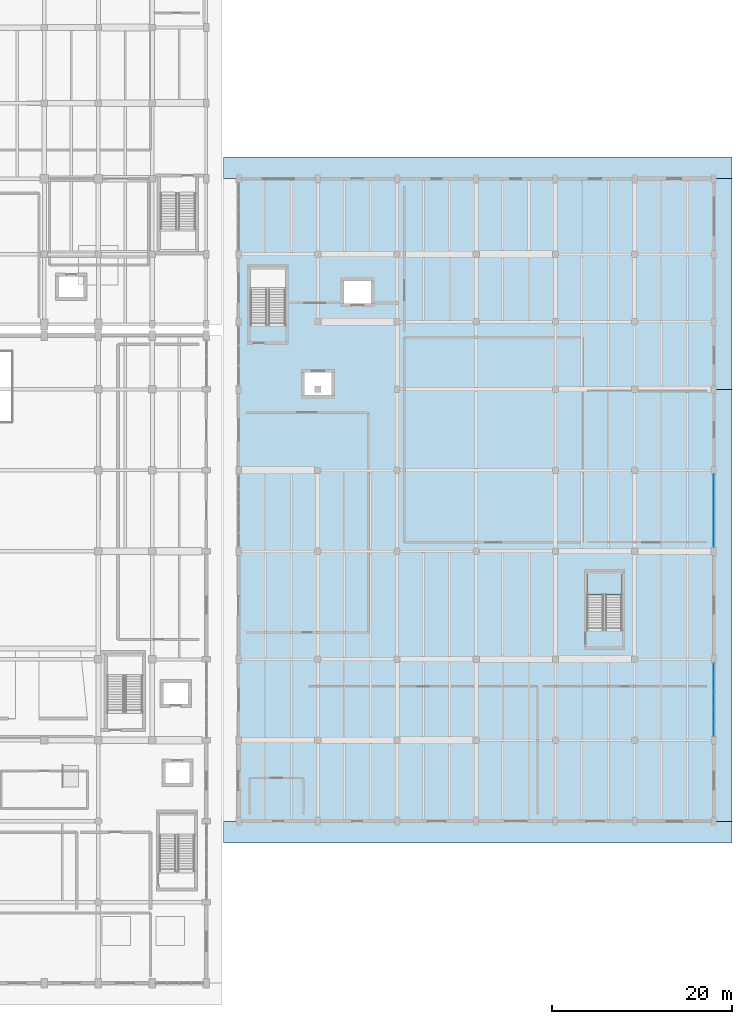
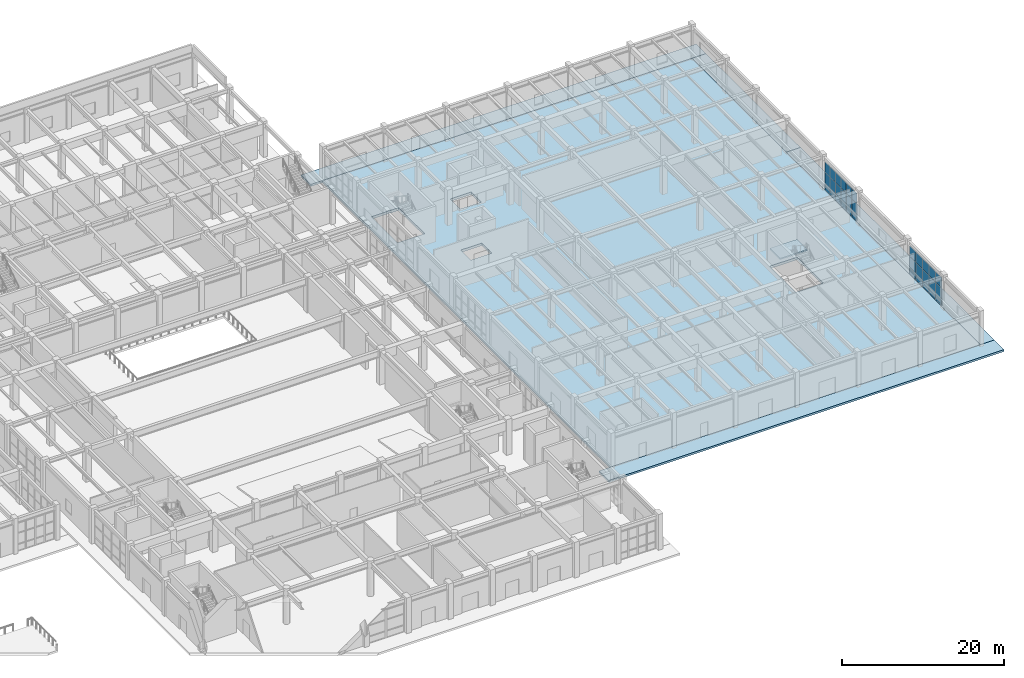
# One storey, part 67 of 91: 33 plates, 6 slabs, 3 elements without a shape of their own.
"""IFC4 building model written with IfcOpenShell, lengths in metres."""

from ifc_helpers import new_model, si_unit, direction, frame, origin, origin_2d, place, context, subcontext, project, spatial, polyline, rectangle, outline, extrude, material, layer, layer_set, type_object, element, aggregate, save


model = new_model("IFC4")

# Units and contexts
model_context = context("Model", 3, precision=1e-05, world=origin(), true_north=direction((0.0, 1.0)))
body_context = subcontext(model_context, "Body", "Model", "MODEL_VIEW")
ifc_project = project(units=[si_unit("LENGTHUNIT", "METRE"), si_unit("AREAUNIT", "SQUARE_METRE"), si_unit("VOLUMEUNIT", "CUBIC_METRE"), si_unit("PLANEANGLEUNIT", "RADIAN"), si_unit("MASSUNIT", "GRAM", prefix="KILO")], contexts=[model_context])

# Site, building, storey
site_placement = place(None, origin())
site = spatial("IfcSite", under=ifc_project, at=site_placement, CompositionType="ELEMENT")
building_placement = place(site_placement, origin())
building = spatial("IfcBuilding", under=site, at=building_placement, Name="Vaelkrest Opera House", CompositionType="ELEMENT")
storey_placement = place(building_placement, origin())
storey = spatial("IfcBuildingStorey", under=building, at=storey_placement, Name="L00", CompositionType="ELEMENT", Elevation=0.0)

# Curtain wall, plates
ifc_material_1 = material(Name="Dark bronze anodized aluminium", Category="aluminium")
ifc_layer_1 = layer(ifc_material_1, 0.179931640625)
ifc_layer_set_1 = layer_set([ifc_layer_1], Name="Dark bronze anodized aluminium")
curtain_wall_type_1 = type_object("IfcCurtainWallType", Name="CW01", PredefinedType="NOTDEFINED", material=ifc_layer_set_1)
curtain_wall_1_placement = place(storey_placement, origin())
curtain_wall_1 = element("IfcCurtainWall", 1, at=curtain_wall_1_placement, inside=storey, type_object=curtain_wall_type_1, Name="Curtain wall CW-L00-152", PredefinedType="NOTDEFINED")
ifc_material_2 = material(Name="Double low-E insulated glazing", Category="glass")
ifc_layer_2 = layer(ifc_material_2, 0.02587890625)
ifc_layer_set_2 = layer_set([ifc_layer_2], Name="Double low-E insulated glazing")
plate_type_1 = type_object("IfcPlateType", Name="CWP01", PredefinedType="CURTAIN_PANEL", material=ifc_layer_set_2)
plate_1_placement = place(storey_placement, frame((86.39990234375, 0.060302734375, 0.06494140625), z_axis=(0.0, 0.0, 1.0), x_axis=(0.0, -1.0, 0.0)))
plate_1 = element("IfcPlate", 2, at=plate_1_placement, type_object=plate_type_1, Name="CW01 panel 1.1", PredefinedType="CURTAIN_PANEL", context=body_context, shape_type="SweptSolid", body=[
    extrude(rectangle(XDim=1.253173828125, YDim=0.02587890625, at=origin_2d()), origin(), (0.0, 0.0, 1.0), 0.952392578125),
])
plate_2_placement = place(storey_placement, frame((86.39990234375, 0.060302734375, 1.08251953125), z_axis=(0.0, 0.0, 1.0), x_axis=(0.0, -1.0, 0.0)))
plate_2 = element("IfcPlate", 3, at=plate_2_placement, type_object=plate_type_1, Name="CW01 panel 1.2", PredefinedType="CURTAIN_PANEL", context=body_context, shape_type="SweptSolid", body=[
    extrude(rectangle(XDim=1.253173828125, YDim=0.02587890625, at=origin_2d()), origin(), (0.0, 0.0, 1.0), 1.635009765625),
])
plate_3_placement = place(storey_placement, frame((86.39990234375, 0.060302734375, 2.78271484375), z_axis=(0.0, 0.0, 1.0), x_axis=(0.0, -1.0, 0.0)))
plate_3 = element("IfcPlate", 4, at=plate_3_placement, type_object=plate_type_1, Name="CW01 panel 1.3", PredefinedType="CURTAIN_PANEL", context=body_context, shape_type="SweptSolid", body=[
    extrude(rectangle(XDim=1.253173828125, YDim=0.02587890625, at=origin_2d()), origin(), (0.0, 0.0, 1.0), 1.556396484375),
])
plate_4_placement = place(storey_placement, frame((86.39990234375, -1.27392578125, 0.06494140625), z_axis=(0.0, 0.0, 1.0), x_axis=(0.0, -1.0, 0.0)))
plate_4 = element("IfcPlate", 5, at=plate_4_placement, type_object=plate_type_1, Name="CW01 panel 2.1", PredefinedType="CURTAIN_PANEL", context=body_context, shape_type="SweptSolid", body=[
    extrude(rectangle(XDim=1.28564453125, YDim=0.02587890625, at=origin_2d()), origin(), (0.0, 0.0, 1.0), 0.952392578125),
])
plate_5_placement = place(storey_placement, frame((86.39990234375, -1.27392578125, 1.08251953125), z_axis=(0.0, 0.0, 1.0), x_axis=(0.0, -1.0, 0.0)))
plate_5 = element("IfcPlate", 6, at=plate_5_placement, type_object=plate_type_1, Name="CW01 panel 2.2", PredefinedType="CURTAIN_PANEL", context=body_context, shape_type="SweptSolid", body=[
    extrude(rectangle(XDim=1.28564453125, YDim=0.02587890625, at=origin_2d()), origin(), (0.0, 0.0, 1.0), 1.635009765625),
])
plate_6_placement = place(storey_placement, frame((86.39990234375, -1.27392578125, 2.78271484375), z_axis=(0.0, 0.0, 1.0), x_axis=(0.0, -1.0, 0.0)))
plate_6 = element("IfcPlate", 7, at=plate_6_placement, type_object=plate_type_1, Name="CW01 panel 2.3", PredefinedType="CURTAIN_PANEL", context=body_context, shape_type="SweptSolid", body=[
    extrude(rectangle(XDim=1.28564453125, YDim=0.02587890625, at=origin_2d()), origin(), (0.0, 0.0, 1.0), 1.556396484375),
])
plate_7_placement = place(storey_placement, frame((86.39990234375, -2.624755859375, 0.06494140625), z_axis=(0.0, 0.0, 1.0), x_axis=(0.0, -1.0, 0.0)))
plate_7 = element("IfcPlate", 8, at=plate_7_placement, type_object=plate_type_1, Name="CW01 panel 3.1", PredefinedType="CURTAIN_PANEL", context=body_context, shape_type="SweptSolid", body=[
    extrude(rectangle(XDim=1.28564453125, YDim=0.02587890625, at=origin_2d()), origin(), (0.0, 0.0, 1.0), 0.952392578125),
])
plate_8_placement = place(storey_placement, frame((86.39990234375, -2.624755859375, 1.08251953125), z_axis=(0.0, 0.0, 1.0), x_axis=(0.0, -1.0, 0.0)))
plate_8 = element("IfcPlate", 9, at=plate_8_placement, type_object=plate_type_1, Name="CW01 panel 3.2", PredefinedType="CURTAIN_PANEL", context=body_context, shape_type="SweptSolid", body=[
    extrude(rectangle(XDim=1.28564453125, YDim=0.02587890625, at=origin_2d()), origin(), (0.0, 0.0, 1.0), 1.635009765625),
])
plate_9_placement = place(storey_placement, frame((86.39990234375, -2.624755859375, 2.78271484375), z_axis=(0.0, 0.0, 1.0), x_axis=(0.0, -1.0, 0.0)))
plate_9 = element("IfcPlate", 10, at=plate_9_placement, type_object=plate_type_1, Name="CW01 panel 3.3", PredefinedType="CURTAIN_PANEL", context=body_context, shape_type="SweptSolid", body=[
    extrude(rectangle(XDim=1.28564453125, YDim=0.02587890625, at=origin_2d()), origin(), (0.0, 0.0, 1.0), 1.556396484375),
])
plate_10_placement = place(storey_placement, frame((86.39990234375, -3.975341796875, 0.06494140625), z_axis=(0.0, 0.0, 1.0), x_axis=(0.0, -1.0, 0.0)))
plate_10 = element("IfcPlate", 11, at=plate_10_placement, type_object=plate_type_1, Name="CW01 panel 4.1", PredefinedType="CURTAIN_PANEL", context=body_context, shape_type="SweptSolid", body=[
    extrude(rectangle(XDim=1.28564453125, YDim=0.02587890625, at=origin_2d()), origin(), (0.0, 0.0, 1.0), 0.952392578125),
])
plate_11_placement = place(storey_placement, frame((86.39990234375, -3.975341796875, 1.08251953125), z_axis=(0.0, 0.0, 1.0), x_axis=(0.0, -1.0, 0.0)))
plate_11 = element("IfcPlate", 12, at=plate_11_placement, type_object=plate_type_1, Name="CW01 panel 4.2", PredefinedType="CURTAIN_PANEL", context=body_context, shape_type="SweptSolid", body=[
    extrude(rectangle(XDim=1.28564453125, YDim=0.02587890625, at=origin_2d()), origin(), (0.0, 0.0, 1.0), 1.635009765625),
])
plate_12_placement = place(storey_placement, frame((86.39990234375, -3.975341796875, 2.78271484375), z_axis=(0.0, 0.0, 1.0), x_axis=(0.0, -1.0, 0.0)))
plate_12 = element("IfcPlate", 13, at=plate_12_placement, type_object=plate_type_1, Name="CW01 panel 4.3", PredefinedType="CURTAIN_PANEL", context=body_context, shape_type="SweptSolid", body=[
    extrude(rectangle(XDim=1.28564453125, YDim=0.02587890625, at=origin_2d()), origin(), (0.0, 0.0, 1.0), 1.556396484375),
])
plate_13_placement = place(storey_placement, frame((86.39990234375, -5.325927734375, 0.06494140625), z_axis=(0.0, 0.0, 1.0), x_axis=(0.0, -1.0, 0.0)))
plate_13 = element("IfcPlate", 14, at=plate_13_placement, type_object=plate_type_1, Name="CW01 panel 5.1", PredefinedType="CURTAIN_PANEL", context=body_context, shape_type="SweptSolid", body=[
    extrude(rectangle(XDim=1.28564453125, YDim=0.02587890625, at=origin_2d()), origin(), (0.0, 0.0, 1.0), 0.952392578125),
])
plate_14_placement = place(storey_placement, frame((86.39990234375, -5.325927734375, 1.08251953125), z_axis=(0.0, 0.0, 1.0), x_axis=(0.0, -1.0, 0.0)))
plate_14 = element("IfcPlate", 15, at=plate_14_placement, type_object=plate_type_1, Name="CW01 panel 5.2", PredefinedType="CURTAIN_PANEL", context=body_context, shape_type="SweptSolid", body=[
    extrude(rectangle(XDim=1.28564453125, YDim=0.02587890625, at=origin_2d()), origin(), (0.0, 0.0, 1.0), 1.635009765625),
])
plate_15_placement = place(storey_placement, frame((86.39990234375, -5.325927734375, 2.78271484375), z_axis=(0.0, 0.0, 1.0), x_axis=(0.0, -1.0, 0.0)))
plate_15 = element("IfcPlate", 16, at=plate_15_placement, type_object=plate_type_1, Name="CW01 panel 5.3", PredefinedType="CURTAIN_PANEL", context=body_context, shape_type="SweptSolid", body=[
    extrude(rectangle(XDim=1.28564453125, YDim=0.02587890625, at=origin_2d()), origin(), (0.0, 0.0, 1.0), 1.556396484375),
])
plate_16_placement = place(storey_placement, frame((86.39990234375, -6.660400390625, 0.06494140625), z_axis=(0.0, 0.0, 1.0), x_axis=(0.0, -1.0, 0.0)))
plate_16 = element("IfcPlate", 17, at=plate_16_placement, type_object=plate_type_1, Name="CW01 panel 6.1", PredefinedType="CURTAIN_PANEL", context=body_context, shape_type="SweptSolid", body=[
    extrude(rectangle(XDim=1.253173828125, YDim=0.02587890625, at=origin_2d()), origin(), (0.0, 0.0, 1.0), 0.952392578125),
])
plate_17_placement = place(storey_placement, frame((86.39990234375, -6.660400390625, 1.08251953125), z_axis=(0.0, 0.0, 1.0), x_axis=(0.0, -1.0, 0.0)))
plate_17 = element("IfcPlate", 18, at=plate_17_placement, type_object=plate_type_1, Name="CW01 panel 6.2", PredefinedType="CURTAIN_PANEL", context=body_context, shape_type="SweptSolid", body=[
    extrude(rectangle(XDim=1.253173828125, YDim=0.02587890625, at=origin_2d()), origin(), (0.0, 0.0, 1.0), 1.635009765625),
])
plate_18_placement = place(storey_placement, frame((86.39990234375, -6.660400390625, 2.78271484375), z_axis=(0.0, 0.0, 1.0), x_axis=(0.0, -1.0, 0.0)))
plate_18 = element("IfcPlate", 19, at=plate_18_placement, type_object=plate_type_1, Name="CW01 panel 6.3", PredefinedType="CURTAIN_PANEL", context=body_context, shape_type="SweptSolid", body=[
    extrude(rectangle(XDim=1.253173828125, YDim=0.02587890625, at=origin_2d()), origin(), (0.0, 0.0, 1.0), 1.556396484375),
])
aggregate(curtain_wall_1, [plate_1, plate_2, plate_3, plate_4, plate_5, plate_6, plate_7, plate_8, plate_9, plate_10, plate_11, plate_12, plate_13, plate_14, plate_15, plate_16, plate_17, plate_18])

ifc_layer_3 = layer(ifc_material_1, 0.199951171875)
ifc_layer_set_3 = layer_set([ifc_layer_3], Name="Dark bronze anodized aluminium")
curtain_wall_type_2 = type_object("IfcCurtainWallType", Name="CW03", PredefinedType="NOTDEFINED", material=ifc_layer_set_3)
curtain_wall_2_placement = place(storey_placement, origin())
curtain_wall_2 = element("IfcCurtainWall", 20, at=curtain_wall_2_placement, inside=storey, type_object=curtain_wall_type_2, Name="Curtain wall CW-L00-153", PredefinedType="NOTDEFINED")
ifc_layer_4 = layer(ifc_material_2, 0.033935546875)
ifc_layer_set_4 = layer_set([ifc_layer_4], Name="Double low-E insulated glazing")
plate_type_2 = type_object("IfcPlateType", Name="CWP03", PredefinedType="CURTAIN_PANEL", material=ifc_layer_set_4)
plate_19_placement = place(storey_placement, frame((86.39990234375, -21.0771484375, 0.074951171875), z_axis=(0.0, 0.0, 1.0), x_axis=(0.0, -1.0, 0.0)))
plate_19 = element("IfcPlate", 21, at=plate_19_placement, type_object=plate_type_2, Name="CW03 panel 1.1", PredefinedType="CURTAIN_PANEL", context=body_context, shape_type="SweptSolid", body=[
    extrude(rectangle(XDim=1.50830078125, YDim=0.033935546875, at=origin_2d()), origin(), (0.0, 0.0, 1.0), 0.9375),
])
plate_20_placement = place(storey_placement, frame((86.39990234375, -21.0771484375, 1.08740234375), z_axis=(0.0, 0.0, 1.0), x_axis=(0.0, -1.0, 0.0)))
plate_20 = element("IfcPlate", 22, at=plate_20_placement, type_object=plate_type_2, Name="CW03 panel 1.2", PredefinedType="CURTAIN_PANEL", context=body_context, shape_type="SweptSolid", body=[
    extrude(rectangle(XDim=1.50830078125, YDim=0.033935546875, at=origin_2d()), origin(), (0.0, 0.0, 1.0), 1.625),
])
plate_21_placement = place(storey_placement, frame((86.39990234375, -21.0771484375, 2.78759765625), z_axis=(0.0, 0.0, 1.0), x_axis=(0.0, -1.0, 0.0)))
plate_21 = element("IfcPlate", 23, at=plate_21_placement, type_object=plate_type_2, Name="CW03 panel 1.3", PredefinedType="CURTAIN_PANEL", context=body_context, shape_type="SweptSolid", body=[
    extrude(rectangle(XDim=1.50830078125, YDim=0.033935546875, at=origin_2d()), origin(), (0.0, 0.0, 1.0), 1.54150390625),
])
plate_22_placement = place(storey_placement, frame((86.39990234375, -22.67919921875, 0.074951171875), z_axis=(0.0, 0.0, 1.0), x_axis=(0.0, -1.0, 0.0)))
plate_22 = element("IfcPlate", 24, at=plate_22_placement, type_object=plate_type_2, Name="CW03 panel 2.1", PredefinedType="CURTAIN_PANEL", context=body_context, shape_type="SweptSolid", body=[
    extrude(rectangle(XDim=1.5458984375, YDim=0.033935546875, at=origin_2d()), origin(), (0.0, 0.0, 1.0), 0.9375),
])
plate_23_placement = place(storey_placement, frame((86.39990234375, -22.67919921875, 1.08740234375), z_axis=(0.0, 0.0, 1.0), x_axis=(0.0, -1.0, 0.0)))
plate_23 = element("IfcPlate", 25, at=plate_23_placement, type_object=plate_type_2, Name="CW03 panel 2.2", PredefinedType="CURTAIN_PANEL", context=body_context, shape_type="SweptSolid", body=[
    extrude(rectangle(XDim=1.5458984375, YDim=0.033935546875, at=origin_2d()), origin(), (0.0, 0.0, 1.0), 1.625),
])
plate_24_placement = place(storey_placement, frame((86.39990234375, -22.67919921875, 2.78759765625), z_axis=(0.0, 0.0, 1.0), x_axis=(0.0, -1.0, 0.0)))
plate_24 = element("IfcPlate", 26, at=plate_24_placement, type_object=plate_type_2, Name="CW03 panel 2.3", PredefinedType="CURTAIN_PANEL", context=body_context, shape_type="SweptSolid", body=[
    extrude(rectangle(XDim=1.5458984375, YDim=0.033935546875, at=origin_2d()), origin(), (0.0, 0.0, 1.0), 1.54150390625),
])
plate_25_placement = place(storey_placement, frame((86.39990234375, -24.300048828125, 0.074951171875), z_axis=(0.0, 0.0, 1.0), x_axis=(0.0, -1.0, 0.0)))
plate_25 = element("IfcPlate", 27, at=plate_25_placement, type_object=plate_type_2, Name="CW03 panel 3.1", PredefinedType="CURTAIN_PANEL", context=body_context, shape_type="SweptSolid", body=[
    extrude(rectangle(XDim=1.5458984375, YDim=0.033935546875, at=origin_2d()), origin(), (0.0, 0.0, 1.0), 0.9375),
])
plate_26_placement = place(storey_placement, frame((86.39990234375, -24.300048828125, 1.08740234375), z_axis=(0.0, 0.0, 1.0), x_axis=(0.0, -1.0, 0.0)))
plate_26 = element("IfcPlate", 28, at=plate_26_placement, type_object=plate_type_2, Name="CW03 panel 3.2", PredefinedType="CURTAIN_PANEL", context=body_context, shape_type="SweptSolid", body=[
    extrude(rectangle(XDim=1.5458984375, YDim=0.033935546875, at=origin_2d()), origin(), (0.0, 0.0, 1.0), 1.625),
])
plate_27_placement = place(storey_placement, frame((86.39990234375, -24.300048828125, 2.78759765625), z_axis=(0.0, 0.0, 1.0), x_axis=(0.0, -1.0, 0.0)))
plate_27 = element("IfcPlate", 29, at=plate_27_placement, type_object=plate_type_2, Name="CW03 panel 3.3", PredefinedType="CURTAIN_PANEL", context=body_context, shape_type="SweptSolid", body=[
    extrude(rectangle(XDim=1.5458984375, YDim=0.033935546875, at=origin_2d()), origin(), (0.0, 0.0, 1.0), 1.54150390625),
])
plate_28_placement = place(storey_placement, frame((86.39990234375, -25.9208984375, 0.074951171875), z_axis=(0.0, 0.0, 1.0), x_axis=(0.0, -1.0, 0.0)))
plate_28 = element("IfcPlate", 30, at=plate_28_placement, type_object=plate_type_2, Name="CW03 panel 4.1", PredefinedType="CURTAIN_PANEL", context=body_context, shape_type="SweptSolid", body=[
    extrude(rectangle(XDim=1.5458984375, YDim=0.033935546875, at=origin_2d()), origin(), (0.0, 0.0, 1.0), 0.9375),
])
plate_29_placement = place(storey_placement, frame((86.39990234375, -25.9208984375, 1.08740234375), z_axis=(0.0, 0.0, 1.0), x_axis=(0.0, -1.0, 0.0)))
plate_29 = element("IfcPlate", 31, at=plate_29_placement, type_object=plate_type_2, Name="CW03 panel 4.2", PredefinedType="CURTAIN_PANEL", context=body_context, shape_type="SweptSolid", body=[
    extrude(rectangle(XDim=1.5458984375, YDim=0.033935546875, at=origin_2d()), origin(), (0.0, 0.0, 1.0), 1.625),
])
plate_30_placement = place(storey_placement, frame((86.39990234375, -25.9208984375, 2.78759765625), z_axis=(0.0, 0.0, 1.0), x_axis=(0.0, -1.0, 0.0)))
plate_30 = element("IfcPlate", 32, at=plate_30_placement, type_object=plate_type_2, Name="CW03 panel 4.3", PredefinedType="CURTAIN_PANEL", context=body_context, shape_type="SweptSolid", body=[
    extrude(rectangle(XDim=1.5458984375, YDim=0.033935546875, at=origin_2d()), origin(), (0.0, 0.0, 1.0), 1.54150390625),
])
plate_31_placement = place(storey_placement, frame((86.39990234375, -27.52294921875, 0.074951171875), z_axis=(0.0, 0.0, 1.0), x_axis=(0.0, -1.0, 0.0)))
plate_31 = element("IfcPlate", 33, at=plate_31_placement, type_object=plate_type_2, Name="CW03 panel 5.1", PredefinedType="CURTAIN_PANEL", context=body_context, shape_type="SweptSolid", body=[
    extrude(rectangle(XDim=1.50830078125, YDim=0.033935546875, at=origin_2d()), origin(), (0.0, 0.0, 1.0), 0.9375),
])
plate_32_placement = place(storey_placement, frame((86.39990234375, -27.52294921875, 1.08740234375), z_axis=(0.0, 0.0, 1.0), x_axis=(0.0, -1.0, 0.0)))
plate_32 = element("IfcPlate", 34, at=plate_32_placement, type_object=plate_type_2, Name="CW03 panel 5.2", PredefinedType="CURTAIN_PANEL", context=body_context, shape_type="SweptSolid", body=[
    extrude(rectangle(XDim=1.50830078125, YDim=0.033935546875, at=origin_2d()), origin(), (0.0, 0.0, 1.0), 1.625),
])
plate_33_placement = place(storey_placement, frame((86.39990234375, -27.52294921875, 2.78759765625), z_axis=(0.0, 0.0, 1.0), x_axis=(0.0, -1.0, 0.0)))
plate_33 = element("IfcPlate", 35, at=plate_33_placement, type_object=plate_type_2, Name="CW03 panel 5.3", PredefinedType="CURTAIN_PANEL", context=body_context, shape_type="SweptSolid", body=[
    extrude(rectangle(XDim=1.50830078125, YDim=0.033935546875, at=origin_2d()), origin(), (0.0, 0.0, 1.0), 1.54150390625),
])
aggregate(curtain_wall_2, [plate_19, plate_20, plate_21, plate_22, plate_23, plate_24, plate_25, plate_26, plate_27, plate_28, plate_29, plate_30, plate_31, plate_32, plate_33])

# Slab
ifc_material_3 = material(Name="Concrete C40/50", Category="concrete")
ifc_layer_5 = layer(ifc_material_3, 0.3798828125)
ifc_layer_set_5 = layer_set([ifc_layer_5], Name="Concrete C40/50")
slab_type_1 = type_object("IfcSlabType", Name="FS07", PredefinedType="FLOOR", material=ifc_layer_set_5)
slab_1_placement = place(storey_placement, frame((0.0, 0.0, -0.3798828125)))
element("IfcSlab", 36, at=slab_1_placement, inside=storey, type_object=slab_type_1, Name="Floor slab SLB-V4-L00-026", PredefinedType="FLOOR", context=body_context, shape_type="SweptSolid", body=[
    extrude(outline(polyline([(33.60009765625, -37.800048828125), (86.39990234375, -37.800048828125), (86.39990234375, 33.60009765625), (33.60009765625, 33.60009765625), (33.60009765625, -37.800048828125)]), holes=[polyline([(38.800048828125, 17.35009765625), (38.800048828125, 23.800048828125), (34.89990234375, 23.800048828125), (34.89990234375, 17.35009765625), (38.800048828125, 17.35009765625)]), polyline([(76.199951171875, -16.550048828125), (76.199951171875, -10.10009765625), (72.300048828125, -10.10009765625), (72.300048828125, -16.550048828125), (76.199951171875, -16.550048828125)]), polyline([(40.89990234375, 9.550048828125), (43.89990234375, 9.550048828125), (43.89990234375, 12.050048828125), (40.89990234375, 12.050048828125), (40.89990234375, 9.550048828125)]), polyline([(45.300048828125, 19.75), (48.300048828125, 19.75), (48.300048828125, 22.25), (45.300048828125, 22.25), (45.300048828125, 19.75)])]), origin(), (0.0, 0.0, 1.0), 0.3798828125),
])

# Stair, slab
stair_type = type_object("IfcStairType", Name="ST10", PredefinedType="TWO_STRAIGHT_RUN_STAIR", material=ifc_material_3)
stair_placement = place(storey_placement, origin())
stair = element("IfcStair", 37, at=stair_placement, inside=storey, type_object=stair_type, Name="L00 Protected exit stair ST10", PredefinedType="TWO_STRAIGHT_RUN_STAIR")
ifc_layer_6 = layer(ifc_material_3, 0.199951171875)
ifc_layer_set_6 = layer_set([ifc_layer_6], Name="Concrete C40/50")
slab_type_2 = type_object("IfcSlabType", Name="SLD01", PredefinedType="LANDING", material=ifc_layer_set_6)
slab_2_placement = place(storey_placement, frame((0.0, 0.0, 2.5)))
slab_2 = element("IfcSlab", 38, at=slab_2_placement, type_object=slab_type_2, Name="ST10 landing 1", PredefinedType="LANDING", context=body_context, shape_type="SweptSolid", body=[
    extrude(outline(polyline([(76.199951171875, -12.6298828125), (76.199951171875, -10.10009765625), (72.300048828125, -10.10009765625), (72.300048828125, -12.6298828125), (76.199951171875, -12.6298828125)])), origin(), (0.0, 0.0, 1.0), 0.199951171875),
])
aggregate(stair, [slab_2])

# Slabs
ifc_layer_7 = layer(ifc_material_3, 0.294921875)
ifc_layer_set_7 = layer_set([ifc_layer_7], Name="Concrete C40/50")
slab_type_3 = type_object("IfcSlabType", Name="TS02", PredefinedType="FLOOR", material=ifc_layer_set_7)
slab_3_placement = place(storey_placement, frame((0.0, 0.0, -0.294921875)))
element("IfcSlab", 39, at=slab_3_placement, inside=storey, type_object=slab_type_3, Name="Terrace slab SLB-EXT-V4-L00-027", PredefinedType="FLOOR", context=body_context, shape_type="SweptSolid", body=[
    extrude(outline(polyline([(86.39990234375, 10.199951171875), (88.39990234375, 10.199951171875), (88.39990234375, 33.60009765625), (86.39990234375, 33.60009765625), (86.39990234375, 10.199951171875)])), origin(), (0.0, 0.0, 1.0), 0.294921875),
])
slab_4_placement = place(storey_placement, frame((0.0, 0.0, -0.294921875)))
element("IfcSlab", 40, at=slab_4_placement, inside=storey, type_object=slab_type_3, Name="Exterior plaza walkway SLB-PLZ-V4-S", PredefinedType="FLOOR", context=body_context, shape_type="SweptSolid", body=[
    extrude(outline(polyline([(31.89990234375, -40.199951171875), (88.39990234375, -40.199951171875), (88.39990234375, -37.800048828125), (31.89990234375, -37.800048828125), (31.89990234375, -40.199951171875)])), origin(), (0.0, 0.0, 1.0), 0.294921875),
])
slab_5_placement = place(storey_placement, frame((0.0, 0.0, -0.294921875)))
element("IfcSlab", 41, at=slab_5_placement, inside=storey, type_object=slab_type_3, Name="Exterior plaza walkway SLB-PLZ-V4-N", PredefinedType="FLOOR", context=body_context, shape_type="SweptSolid", body=[
    extrude(outline(polyline([(31.89990234375, 33.60009765625), (88.39990234375, 33.60009765625), (88.39990234375, 36.0), (31.89990234375, 36.0), (31.89990234375, 33.60009765625)])), origin(), (0.0, 0.0, 1.0), 0.294921875),
])
slab_6_placement = place(storey_placement, frame((0.0, 0.0, -0.294921875)))
element("IfcSlab", 42, at=slab_6_placement, inside=storey, type_object=slab_type_3, Name="Exterior plaza walkway SLB-PLZ-V4-E", PredefinedType="FLOOR", context=body_context, shape_type="SweptSolid", body=[
    extrude(outline(polyline([(86.39990234375, -37.800048828125), (88.39990234375, -37.800048828125), (88.39990234375, 10.199951171875), (86.39990234375, 10.199951171875), (86.39990234375, -37.800048828125)])), origin(), (0.0, 0.0, 1.0), 0.294921875),
])

save(model, "model.ifc")
